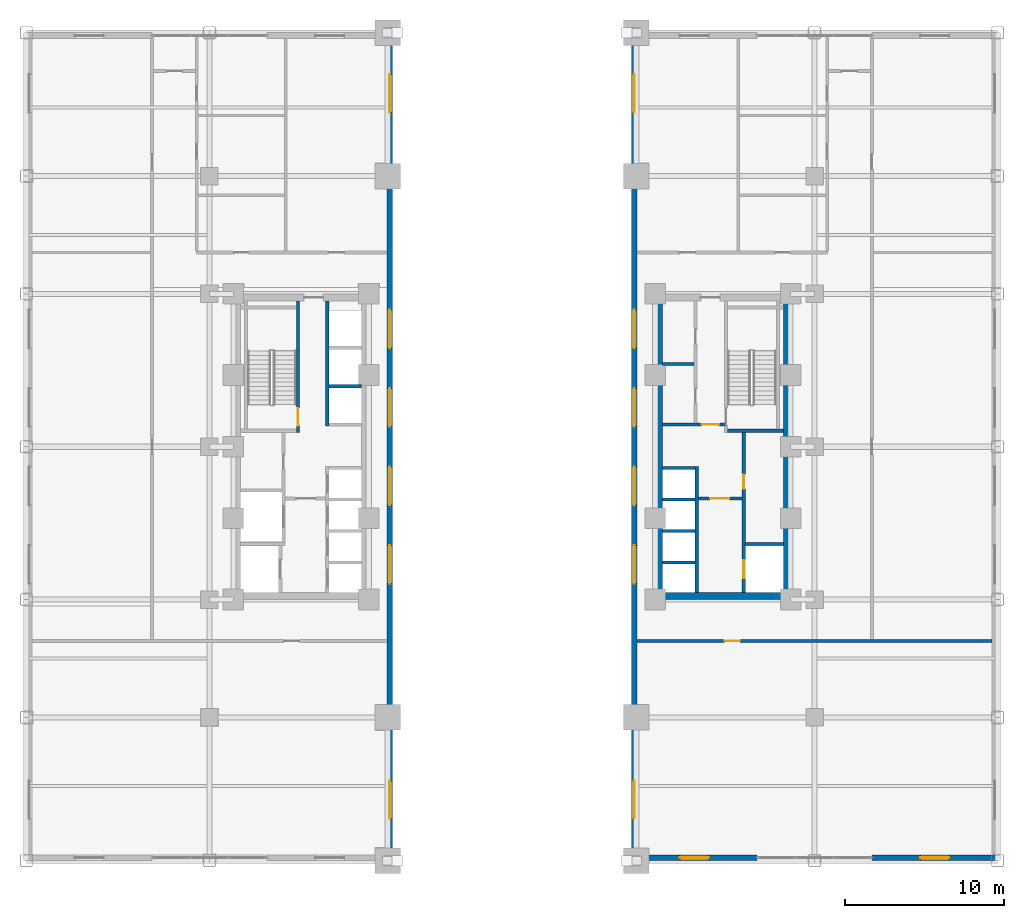
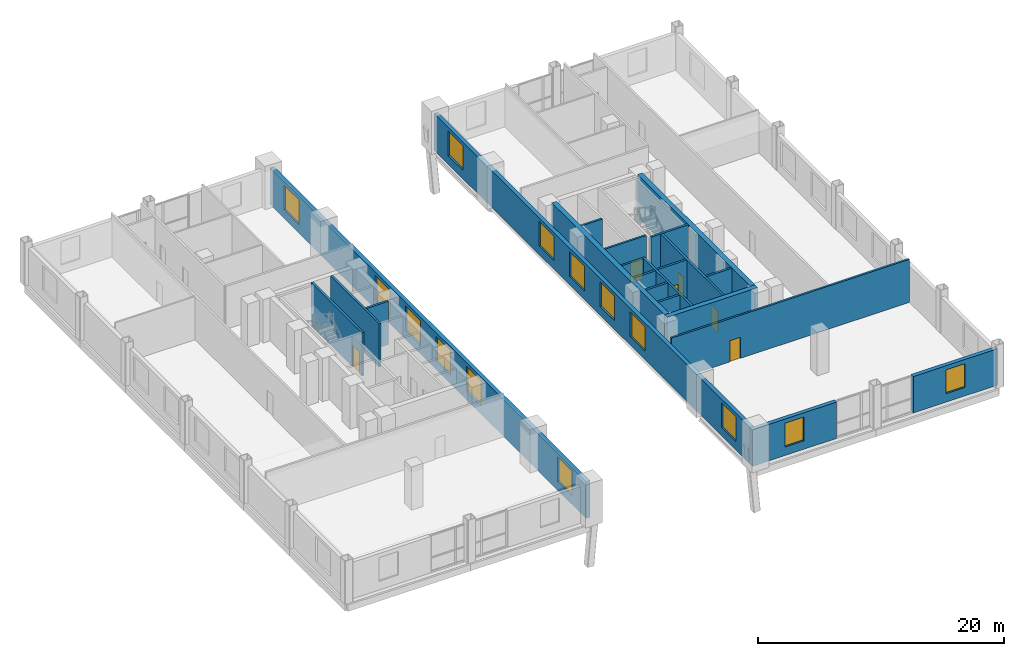
# One storey, part 4 of 15: 22 walls, 14 windows, 6 doors, 20 openings.
"""IFC4 building model written with IfcOpenShell, lengths in metres."""

from ifc_helpers import new_model, si_unit, direction, frame, frame_2d, origin, place, context, subcontext, project, spatial, rectangle, extrude, source, transform, mapped, material, layer, layer_set, type_object, type_shapes, element, fill, save


model = new_model("IFC4")

# Units and contexts
model_context = context("Model", 3, precision=1e-05, world=origin(), true_north=direction((0.0, 1.0)))
body_context = subcontext(model_context, "Body", "Model", "MODEL_VIEW")
ifc_project = project(units=[si_unit("LENGTHUNIT", "METRE"), si_unit("AREAUNIT", "SQUARE_METRE"), si_unit("VOLUMEUNIT", "CUBIC_METRE"), si_unit("PLANEANGLEUNIT", "RADIAN"), si_unit("MASSUNIT", "GRAM", prefix="KILO")], contexts=[model_context])

# Site, building, storey
site_placement = place(None, origin())
site = spatial("IfcSite", under=ifc_project, at=site_placement, CompositionType="ELEMENT")
building_placement = place(site_placement, origin())
building = spatial("IfcBuilding", under=site, at=building_placement, Name="Nuvemarco Arch Tower", CompositionType="ELEMENT")
storey_placement = place(building_placement, frame((0.0, 0.0, 4.60009765625)))
storey = spatial("IfcBuildingStorey", under=building, at=storey_placement, Name="L01", CompositionType="ELEMENT", Elevation=4.60009765625)

# Wall, openings, windows
ifc_material_1 = material(Name="Precast concrete C45/55", Category="concrete")
ifc_layer_1 = layer(ifc_material_1, 0.360107421875, Name="EW-POD-360")
ifc_layer_set_1 = layer_set([ifc_layer_1], Name="Precast concrete C45/55")
wall_type_1 = type_object("IfcWallType", Name="EW-POD-360", PredefinedType="STANDARD", material=ifc_layer_set_1)
wall_1_placement = place(storey_placement, frame((-7.679931640625, -25.64404296875, 0.0), z_axis=(0.0, 0.0, 1.0), x_axis=(0.0, 1.0, 0.0)))
wall_1 = element("IfcWall", 1, at=wall_1_placement, inside=storey, type_object=wall_type_1, Name="L01 exterior precast facade wall 2", PredefinedType="STANDARD", context=body_context, shape_type="SweptSolid", body=[
    extrude(rectangle(XDim=51.2880859375, YDim=0.360107421875, at=frame_2d((25.64404296875, 0.0))), origin(), (0.0, 0.0, 1.0), 3.64892578125),
])
opening_1_placement = place(wall_1_placement, frame((2.264404296875, 0.0, 0.85009765625)))
opening_1 = element("IfcOpeningElement", 2, at=opening_1_placement, cuts=wall_1, Name="Opening WN-1", PredefinedType="OPENING", context=body_context, shape_type="SweptSolid", body=[
    extrude(rectangle(XDim=2.39990234375, YDim=2.449951171875, at=frame_2d((1.199951171875, 1.22509765625))), frame((0.0, 0.18994140625, 0.0), z_axis=(0.0, -1.0, 0.0), x_axis=(1.0, 0.0, 0.0)), (0.0, 0.0, 1.0), 0.380126953125),
])
opening_2_placement = place(wall_1_placement, frame((17.05078125, 0.0, 0.85009765625)))
opening_2 = element("IfcOpeningElement", 3, at=opening_2_placement, cuts=wall_1, Name="Opening WN-1", PredefinedType="OPENING", context=body_context, shape_type="SweptSolid", body=[
    extrude(rectangle(XDim=2.39990234375, YDim=2.449951171875, at=frame_2d((1.199951171875, 1.22509765625))), frame((0.0, 0.18994140625, 0.0), z_axis=(0.0, -1.0, 0.0), x_axis=(1.0, 0.0, 0.0)), (0.0, 0.0, 1.0), 0.380126953125),
])
opening_3_placement = place(wall_1_placement, frame((21.9794921875, 0.0, 0.85009765625)))
opening_3 = element("IfcOpeningElement", 4, at=opening_3_placement, cuts=wall_1, Name="Opening WN-1", PredefinedType="OPENING", context=body_context, shape_type="SweptSolid", body=[
    extrude(rectangle(XDim=2.39990234375, YDim=2.449951171875, at=frame_2d((1.199951171875, 1.22509765625))), frame((0.0, 0.18994140625, 0.0), z_axis=(0.0, -1.0, 0.0), x_axis=(1.0, 0.0, 0.0)), (0.0, 0.0, 1.0), 0.380126953125),
])
opening_4_placement = place(wall_1_placement, frame((26.908447265625, 0.0, 0.85009765625)))
opening_4 = element("IfcOpeningElement", 5, at=opening_4_placement, cuts=wall_1, Name="Opening WN-1", PredefinedType="OPENING", context=body_context, shape_type="SweptSolid", body=[
    extrude(rectangle(XDim=2.39990234375, YDim=2.449951171875, at=frame_2d((1.199951171875, 1.22509765625))), frame((0.0, 0.18994140625, 0.0), z_axis=(0.0, -1.0, 0.0), x_axis=(1.0, 0.0, 0.0)), (0.0, 0.0, 1.0), 0.380126953125),
])
opening_5_placement = place(wall_1_placement, frame((31.837158203125, 0.0, 0.85009765625)))
opening_5 = element("IfcOpeningElement", 6, at=opening_5_placement, cuts=wall_1, Name="Opening WN-1", PredefinedType="OPENING", context=body_context, shape_type="SweptSolid", body=[
    extrude(rectangle(XDim=2.39990234375, YDim=2.449951171875, at=frame_2d((1.199951171875, 1.22509765625))), frame((0.0, 0.18994140625, 0.0), z_axis=(0.0, -1.0, 0.0), x_axis=(1.0, 0.0, 0.0)), (0.0, 0.0, 1.0), 0.380126953125),
])
opening_6_placement = place(wall_1_placement, frame((46.62353515625, 0.0, 0.85009765625)))
opening_6 = element("IfcOpeningElement", 7, at=opening_6_placement, cuts=wall_1, Name="Opening WN-1", PredefinedType="OPENING", context=body_context, shape_type="SweptSolid", body=[
    extrude(rectangle(XDim=2.39990234375, YDim=2.449951171875, at=frame_2d((1.199951171875, 1.22509765625))), frame((0.0, 0.18994140625, 0.0), z_axis=(0.0, -1.0, 0.0), x_axis=(1.0, 0.0, 0.0)), (0.0, 0.0, 1.0), 0.380126953125),
])
ifc_material_2 = material(Name="Insulated solar-control glass", Category="glass")
window_type_1 = type_object("IfcWindowType", Name="WN-POD-2400x2450", PartitioningType="DOUBLE_PANEL_VERTICAL", PredefinedType="WINDOW", material=ifc_material_2)
shared_shape_1 = source(origin(), body_context, "Body", "SweptSolid", [
    extrude(rectangle(XDim=2.39990234375, YDim=2.449951171875, at=frame_2d((1.199951171875, 1.22509765625))), frame((0.0, 0.030029296875, 0.0), z_axis=(0.0, -1.0, 0.0), x_axis=(1.0, 0.0, 0.0)), (0.0, 0.0, 1.0), 0.06005859375),
])
type_shapes(window_type_1, [shared_shape_1])
window_1_placement = place(opening_1_placement, origin())
window_1 = element("IfcWindow", 8, at=window_1_placement, inside=storey, type_object=window_type_1, Name="L01 punched facade window 1", OverallHeight=2.449951171875, OverallWidth=2.39990234375, PartitioningType="SINGLE_PANEL", PredefinedType="WINDOW", context=body_context, shape_type="MappedRepresentation", body=[
    mapped(shared_shape_1, transform((0.0, 0.0, 0.0), scale=1.0)),
])
fill(opening_1, window_1)
window_2_placement = place(opening_2_placement, origin())
window_2 = element("IfcWindow", 9, at=window_2_placement, inside=storey, type_object=window_type_1, Name="L01 punched facade window 4", OverallHeight=2.449951171875, OverallWidth=2.39990234375, PartitioningType="SINGLE_PANEL", PredefinedType="WINDOW", context=body_context, shape_type="MappedRepresentation", body=[
    mapped(shared_shape_1, transform((0.0, 0.0, 0.0), scale=1.0)),
])
fill(opening_2, window_2)
window_3_placement = place(opening_3_placement, origin())
window_3 = element("IfcWindow", 10, at=window_3_placement, inside=storey, type_object=window_type_1, Name="L01 punched facade window 5", OverallHeight=2.449951171875, OverallWidth=2.39990234375, PartitioningType="SINGLE_PANEL", PredefinedType="WINDOW", context=body_context, shape_type="MappedRepresentation", body=[
    mapped(shared_shape_1, transform((0.0, 0.0, 0.0), scale=1.0)),
])
fill(opening_3, window_3)
window_4_placement = place(opening_4_placement, origin())
window_4 = element("IfcWindow", 11, at=window_4_placement, inside=storey, type_object=window_type_1, Name="L01 punched facade window 6", OverallHeight=2.449951171875, OverallWidth=2.39990234375, PartitioningType="SINGLE_PANEL", PredefinedType="WINDOW", context=body_context, shape_type="MappedRepresentation", body=[
    mapped(shared_shape_1, transform((0.0, 0.0, 0.0), scale=1.0)),
])
fill(opening_4, window_4)
window_5_placement = place(opening_5_placement, origin())
window_5 = element("IfcWindow", 12, at=window_5_placement, inside=storey, type_object=window_type_1, Name="L01 punched facade window 7", OverallHeight=2.449951171875, OverallWidth=2.39990234375, PartitioningType="SINGLE_PANEL", PredefinedType="WINDOW", context=body_context, shape_type="MappedRepresentation", body=[
    mapped(shared_shape_1, transform((0.0, 0.0, 0.0), scale=1.0)),
])
fill(opening_5, window_5)
window_6_placement = place(opening_6_placement, origin())
window_6 = element("IfcWindow", 13, at=window_6_placement, inside=storey, type_object=window_type_1, Name="L01 punched facade window 10", OverallHeight=2.449951171875, OverallWidth=2.39990234375, PartitioningType="SINGLE_PANEL", PredefinedType="WINDOW", context=body_context, shape_type="MappedRepresentation", body=[
    mapped(shared_shape_1, transform((0.0, 0.0, 0.0), scale=1.0)),
])
fill(opening_6, window_6)

# Wall, opening, window
wall_2_placement = place(storey_placement, frame((7.5, -25.820068359375, 0.0), z_axis=(0.0, 0.0, 1.0), x_axis=(1.0, 0.0, 0.0)))
wall_2 = element("IfcWall", 14, at=wall_2_placement, inside=storey, type_object=wall_type_1, Name="L01 exterior precast pier wall south left", PredefinedType="STANDARD", context=body_context, shape_type="SweptSolid", body=[
    extrude(rectangle(XDim=7.89990234375, YDim=0.360107421875, at=frame_2d((3.949951171875, 0.0))), origin(), (0.0, 0.0, 1.0), 3.614990234375),
])
opening_7_placement = place(wall_2_placement, frame((3.050048828125, 0.0, 0.85009765625)))
opening_7 = element("IfcOpeningElement", 15, at=opening_7_placement, cuts=wall_2, Name="Opening WN-2", PredefinedType="OPENING", context=body_context, shape_type="SweptSolid", body=[
    extrude(rectangle(XDim=1.800048828125, YDim=2.35009765625, at=frame_2d((0.89990234375, 1.175048828125))), frame((0.0, 0.18994140625, 0.0), z_axis=(0.0, -1.0, 0.0), x_axis=(1.0, 0.0, 0.0)), (0.0, 0.0, 1.0), 0.380126953125),
])
window_type_2 = type_object("IfcWindowType", Name="WN-POD-1800x2350", PartitioningType="DOUBLE_PANEL_VERTICAL", PredefinedType="WINDOW", material=ifc_material_2)
shared_shape_2 = source(origin(), body_context, "Body", "SweptSolid", [
    extrude(rectangle(XDim=1.800048828125, YDim=2.35009765625, at=frame_2d((0.89990234375, 1.175048828125))), frame((0.0, 0.030029296875, 0.0), z_axis=(0.0, -1.0, 0.0), x_axis=(1.0, 0.0, 0.0)), (0.0, 0.0, 1.0), 0.06005859375),
])
type_shapes(window_type_2, [shared_shape_2])
window_7_placement = place(opening_7_placement, origin())
window_7 = element("IfcWindow", 16, at=window_7_placement, inside=storey, type_object=window_type_2, Name="L01 punched facade window 1", OverallHeight=2.35009765625, OverallWidth=1.800048828125, PartitioningType="SINGLE_PANEL", PredefinedType="WINDOW", context=body_context, shape_type="MappedRepresentation", body=[
    mapped(shared_shape_2, transform((0.0, 0.0, 0.0), scale=1.0)),
])
fill(opening_7, window_7)

wall_3_placement = place(storey_placement, frame((22.60009765625, -25.820068359375, 0.0), z_axis=(0.0, 0.0, 1.0), x_axis=(1.0, 0.0, 0.0)))
wall_3 = element("IfcWall", 17, at=wall_3_placement, inside=storey, type_object=wall_type_1, Name="L01 exterior precast pier wall south right", PredefinedType="STANDARD", context=body_context, shape_type="SweptSolid", body=[
    extrude(rectangle(XDim=7.89990234375, YDim=0.360107421875, at=frame_2d((3.949951171875, 0.0))), origin(), (0.0, 0.0, 1.0), 3.614990234375),
])
opening_8_placement = place(wall_3_placement, frame((3.050048828125, 0.0, 0.85009765625)))
opening_8 = element("IfcOpeningElement", 18, at=opening_8_placement, cuts=wall_3, Name="Opening WN-2", PredefinedType="OPENING", context=body_context, shape_type="SweptSolid", body=[
    extrude(rectangle(XDim=1.800048828125, YDim=2.35009765625, at=frame_2d((0.89990234375, 1.175048828125))), frame((0.0, 0.18994140625, 0.0), z_axis=(0.0, -1.0, 0.0), x_axis=(1.0, 0.0, 0.0)), (0.0, 0.0, 1.0), 0.380126953125),
])
window_8_placement = place(opening_8_placement, origin())
window_8 = element("IfcWindow", 19, at=window_8_placement, inside=storey, type_object=window_type_2, Name="L01 punched facade window 1", OverallHeight=2.35009765625, OverallWidth=1.800048828125, PartitioningType="SINGLE_PANEL", PredefinedType="WINDOW", context=body_context, shape_type="MappedRepresentation", body=[
    mapped(shared_shape_2, transform((0.0, 0.0, 0.0), scale=1.0)),
])
fill(opening_8, window_8)

# Wall, openings, windows
wall_4_placement = place(storey_placement, frame((7.679931640625, -25.64404296875, 0.0), z_axis=(0.0, 0.0, 1.0), x_axis=(0.0, 1.0, 0.0)))
wall_4 = element("IfcWall", 20, at=wall_4_placement, inside=storey, type_object=wall_type_1, Name="L01 exterior precast facade wall 4", PredefinedType="STANDARD", context=body_context, shape_type="SweptSolid", body=[
    extrude(rectangle(XDim=51.2880859375, YDim=0.360107421875, at=frame_2d((25.64404296875, 0.0))), origin(), (0.0, 0.0, 1.0), 3.64892578125),
])
opening_9_placement = place(wall_4_placement, frame((2.264404296875, 0.0, 0.85009765625)))
opening_9 = element("IfcOpeningElement", 21, at=opening_9_placement, cuts=wall_4, Name="Opening WN-1", PredefinedType="OPENING", context=body_context, shape_type="SweptSolid", body=[
    extrude(rectangle(XDim=2.39990234375, YDim=2.449951171875, at=frame_2d((1.199951171875, 1.22509765625))), frame((0.0, 0.18994140625, 0.0), z_axis=(0.0, -1.0, 0.0), x_axis=(1.0, 0.0, 0.0)), (0.0, 0.0, 1.0), 0.380126953125),
])
opening_10_placement = place(wall_4_placement, frame((17.05078125, 0.0, 0.85009765625)))
opening_10 = element("IfcOpeningElement", 22, at=opening_10_placement, cuts=wall_4, Name="Opening WN-1", PredefinedType="OPENING", context=body_context, shape_type="SweptSolid", body=[
    extrude(rectangle(XDim=2.39990234375, YDim=2.449951171875, at=frame_2d((1.199951171875, 1.22509765625))), frame((0.0, 0.18994140625, 0.0), z_axis=(0.0, -1.0, 0.0), x_axis=(1.0, 0.0, 0.0)), (0.0, 0.0, 1.0), 0.380126953125),
])
opening_11_placement = place(wall_4_placement, frame((21.9794921875, 0.0, 0.85009765625)))
opening_11 = element("IfcOpeningElement", 23, at=opening_11_placement, cuts=wall_4, Name="Opening WN-1", PredefinedType="OPENING", context=body_context, shape_type="SweptSolid", body=[
    extrude(rectangle(XDim=2.39990234375, YDim=2.449951171875, at=frame_2d((1.199951171875, 1.22509765625))), frame((0.0, 0.18994140625, 0.0), z_axis=(0.0, -1.0, 0.0), x_axis=(1.0, 0.0, 0.0)), (0.0, 0.0, 1.0), 0.380126953125),
])
opening_12_placement = place(wall_4_placement, frame((26.908447265625, 0.0, 0.85009765625)))
opening_12 = element("IfcOpeningElement", 24, at=opening_12_placement, cuts=wall_4, Name="Opening WN-1", PredefinedType="OPENING", context=body_context, shape_type="SweptSolid", body=[
    extrude(rectangle(XDim=2.39990234375, YDim=2.449951171875, at=frame_2d((1.199951171875, 1.22509765625))), frame((0.0, 0.18994140625, 0.0), z_axis=(0.0, -1.0, 0.0), x_axis=(1.0, 0.0, 0.0)), (0.0, 0.0, 1.0), 0.380126953125),
])
opening_13_placement = place(wall_4_placement, frame((31.837158203125, 0.0, 0.85009765625)))
opening_13 = element("IfcOpeningElement", 25, at=opening_13_placement, cuts=wall_4, Name="Opening WN-1", PredefinedType="OPENING", context=body_context, shape_type="SweptSolid", body=[
    extrude(rectangle(XDim=2.39990234375, YDim=2.449951171875, at=frame_2d((1.199951171875, 1.22509765625))), frame((0.0, 0.18994140625, 0.0), z_axis=(0.0, -1.0, 0.0), x_axis=(1.0, 0.0, 0.0)), (0.0, 0.0, 1.0), 0.380126953125),
])
opening_14_placement = place(wall_4_placement, frame((46.62353515625, 0.0, 0.85009765625)))
opening_14 = element("IfcOpeningElement", 26, at=opening_14_placement, cuts=wall_4, Name="Opening WN-1", PredefinedType="OPENING", context=body_context, shape_type="SweptSolid", body=[
    extrude(rectangle(XDim=2.39990234375, YDim=2.449951171875, at=frame_2d((1.199951171875, 1.22509765625))), frame((0.0, 0.18994140625, 0.0), z_axis=(0.0, -1.0, 0.0), x_axis=(1.0, 0.0, 0.0)), (0.0, 0.0, 1.0), 0.380126953125),
])
window_9_placement = place(opening_9_placement, origin())
window_9 = element("IfcWindow", 27, at=window_9_placement, inside=storey, type_object=window_type_1, Name="L01 punched facade window 1", OverallHeight=2.449951171875, OverallWidth=2.39990234375, PartitioningType="SINGLE_PANEL", PredefinedType="WINDOW", context=body_context, shape_type="MappedRepresentation", body=[
    mapped(shared_shape_1, transform((0.0, 0.0, 0.0), scale=1.0)),
])
fill(opening_9, window_9)
window_10_placement = place(opening_10_placement, origin())
window_10 = element("IfcWindow", 28, at=window_10_placement, inside=storey, type_object=window_type_1, Name="L01 punched facade window 4", OverallHeight=2.449951171875, OverallWidth=2.39990234375, PartitioningType="SINGLE_PANEL", PredefinedType="WINDOW", context=body_context, shape_type="MappedRepresentation", body=[
    mapped(shared_shape_1, transform((0.0, 0.0, 0.0), scale=1.0)),
])
fill(opening_10, window_10)
window_11_placement = place(opening_11_placement, origin())
window_11 = element("IfcWindow", 29, at=window_11_placement, inside=storey, type_object=window_type_1, Name="L01 punched facade window 5", OverallHeight=2.449951171875, OverallWidth=2.39990234375, PartitioningType="SINGLE_PANEL", PredefinedType="WINDOW", context=body_context, shape_type="MappedRepresentation", body=[
    mapped(shared_shape_1, transform((0.0, 0.0, 0.0), scale=1.0)),
])
fill(opening_11, window_11)
window_12_placement = place(opening_12_placement, origin())
window_12 = element("IfcWindow", 30, at=window_12_placement, inside=storey, type_object=window_type_1, Name="L01 punched facade window 6", OverallHeight=2.449951171875, OverallWidth=2.39990234375, PartitioningType="SINGLE_PANEL", PredefinedType="WINDOW", context=body_context, shape_type="MappedRepresentation", body=[
    mapped(shared_shape_1, transform((0.0, 0.0, 0.0), scale=1.0)),
])
fill(opening_12, window_12)
window_13_placement = place(opening_13_placement, origin())
window_13 = element("IfcWindow", 31, at=window_13_placement, inside=storey, type_object=window_type_1, Name="L01 punched facade window 7", OverallHeight=2.449951171875, OverallWidth=2.39990234375, PartitioningType="SINGLE_PANEL", PredefinedType="WINDOW", context=body_context, shape_type="MappedRepresentation", body=[
    mapped(shared_shape_1, transform((0.0, 0.0, 0.0), scale=1.0)),
])
fill(opening_13, window_13)
window_14_placement = place(opening_14_placement, origin())
window_14 = element("IfcWindow", 32, at=window_14_placement, inside=storey, type_object=window_type_1, Name="L01 punched facade window 10", OverallHeight=2.449951171875, OverallWidth=2.39990234375, PartitioningType="SINGLE_PANEL", PredefinedType="WINDOW", context=body_context, shape_type="MappedRepresentation", body=[
    mapped(shared_shape_1, transform((0.0, 0.0, 0.0), scale=1.0)),
])
fill(opening_14, window_14)

# Walls
ifc_material_3 = material(Name="Concrete C60/75", Category="concrete")
ifc_layer_2 = layer(ifc_material_3, 0.449951171875, Name="WL-CORE-450")
ifc_layer_set_2 = layer_set([ifc_layer_2], Name="Concrete C60/75")
wall_type_2 = type_object("IfcWallType", Name="WL-CORE-450", PredefinedType="SHEAR", material=ifc_layer_set_2)
wall_5_placement = place(storey_placement, frame((9.0, -9.375, 0.0), z_axis=(0.0, 0.0, 1.0), x_axis=(1.0, 0.0, 0.0)))
element("IfcWall", 33, at=wall_5_placement, inside=storey, type_object=wall_type_2, Name="L01 E-core shear wall S", PredefinedType="SHEAR", context=body_context, shape_type="SweptSolid", body=[
    extrude(rectangle(XDim=8.5, YDim=0.449951171875, at=frame_2d((4.25, 0.0))), origin(), (0.0, 0.0, 1.0), 4.27978515625),
])
for number, where, z_axis, x_axis, name in (
    (34, (9.22509765625, -9.155029296875, 0.0), (0.0, 0.0, 1.0), (0.0, 1.0, 0.0), "L01 E-core shear wall W"),
    (35, (17.27490234375, -9.155029296875, 0.0), (0.0, 0.0, 1.0), (0.0, 1.0, 0.0), "L01 E-core shear wall E"),
):
    element("IfcWall", number, at=place(storey_placement, frame(where, z_axis=z_axis, x_axis=x_axis)), inside=storey, type_object=wall_type_2, Name=name, PredefinedType="SHEAR", context=body_context, shape_type="SweptSolid", body=[
        extrude(rectangle(XDim=18.31005859375, YDim=0.449951171875, at=frame_2d((9.155029296875, 0.0))), origin(), (0.0, 0.0, 1.0), 4.27978515625),
    ])

# Wall, opening, door
ifc_material_4 = material(Name="Fire-rated gypsum drywall partition")
ifc_layer_3 = layer(ifc_material_4, 0.179931640625, Name="WL-CORR-180")
ifc_layer_set_3 = layer_set([ifc_layer_3], Name="Fire-rated gypsum drywall partition")
wall_type_3 = type_object("IfcWallType", Name="WL-CORR-180", PredefinedType="PARTITIONING", material=ifc_layer_set_3)
wall_6_placement = place(storey_placement, frame((9.445068359375, 1.39990234375, 0.0), z_axis=(0.0, 0.0, 1.0), x_axis=(1.0, 0.0, 0.0)))
wall_6 = element("IfcWall", 36, at=wall_6_placement, inside=storey, type_object=wall_type_3, Name="L01 interior wall IW-L01-EK-S", PredefinedType="PARTITIONING", context=body_context, shape_type="SweptSolid", body=[
    extrude(rectangle(XDim=3.89990234375, YDim=0.179931640625, at=frame_2d((1.949951171875, 0.0))), origin(), (0.0, 0.0, 1.0), 4.27001953125),
])
opening_15_placement = place(wall_6_placement, frame((2.465087890625, 0.0, 0.0)))
opening_15 = element("IfcOpeningElement", 37, at=opening_15_placement, cuts=wall_6, Name="Opening FD-1", PredefinedType="OPENING", context=body_context, shape_type="SweptSolid", body=[
    extrude(rectangle(XDim=1.10009765625, YDim=2.14990234375, at=frame_2d((0.550048828125, 1.074951171875))), frame((0.0, 0.099853515625, 0.0), z_axis=(0.0, -1.0, 0.0), x_axis=(1.0, 0.0, 0.0)), (0.0, 0.0, 1.0), 0.199951171875),
])
ifc_material_5 = material(Name="Anodised steel fire door", Category="steel")
door_type_1 = type_object("IfcDoorType", Name="DR-STAIR-FD", OperationType="NOTDEFINED", PredefinedType="DOOR", material=ifc_material_5)
shared_shape_3 = source(origin(), body_context, "Body", "SweptSolid", [
    extrude(rectangle(XDim=1.10009765625, YDim=2.14990234375, at=frame_2d((0.550048828125, 1.074951171875))), frame((0.0, 0.02490234375, 0.0), z_axis=(0.0, -1.0, 0.0), x_axis=(1.0, 0.0, 0.0)), (0.0, 0.0, 1.0), 0.050048828125),
])
type_shapes(door_type_1, [shared_shape_3])
door_1_placement = place(opening_15_placement, origin())
door_1 = element("IfcDoor", 38, at=door_1_placement, inside=storey, type_object=door_type_1, Name="L01 door FD-L01-ENPASS", OperationType="SINGLE_SWING_LEFT", OverallHeight=2.14990234375, OverallWidth=1.10009765625, PredefinedType="DOOR", context=body_context, shape_type="MappedRepresentation", body=[
    mapped(shared_shape_3, transform((0.0, 0.0, 0.0), scale=1.0)),
])
fill(opening_15, door_1)

# Wall
wall_7_placement = place(storey_placement, frame((9.445068359375, 5.199951171875, 0.0), z_axis=(0.0, 0.0, 1.0), x_axis=(1.0, 0.0, 0.0)))
element("IfcWall", 39, at=wall_7_placement, inside=storey, type_object=wall_type_3, Name="L01 interior wall IW-L01-EK2H", PredefinedType="PARTITIONING", context=body_context, shape_type="SweptSolid", body=[
    extrude(rectangle(XDim=1.98486328125, YDim=0.179931640625, at=frame_2d((0.992431640625, 0.0))), origin(), (0.0, 0.0, 1.0), 4.27001953125),
])

# Wall, opening, door
wall_8_placement = place(storey_placement, frame((7.860107421875, -12.199951171875, 0.0), z_axis=(0.0, 0.0, 1.0), x_axis=(1.0, 0.0, 0.0)))
wall_8 = element("IfcWall", 40, at=wall_8_placement, inside=storey, type_object=wall_type_3, Name="L01 interior wall IW-L01-002", PredefinedType="PARTITIONING", context=body_context, shape_type="SweptSolid", body=[
    extrude(rectangle(XDim=22.27978515625, YDim=0.179931640625, at=frame_2d((11.139892578125, 0.0))), origin(), (0.0, 0.0, 1.0), 4.27001953125),
])
opening_16_placement = place(wall_8_placement, frame((5.489990234375, 0.0, 0.0)))
opening_16 = element("IfcOpeningElement", 41, at=opening_16_placement, cuts=wall_8, Name="Opening FD-5", PredefinedType="OPENING", context=body_context, shape_type="SweptSolid", body=[
    extrude(rectangle(XDim=0.9599609375, YDim=2.10009765625, at=frame_2d((0.47998046875, 1.050048828125))), frame((0.0, 0.099853515625, 0.0), z_axis=(0.0, -1.0, 0.0), x_axis=(1.0, 0.0, 0.0)), (0.0, 0.0, 1.0), 0.199951171875),
])
ifc_material_6 = material(Name="Timber fire door", Category="wood")
door_type_2 = type_object("IfcDoorType", Name="DR-CORR-FD", OperationType="NOTDEFINED", PredefinedType="DOOR", material=ifc_material_6)
shared_shape_4 = source(origin(), body_context, "Body", "SweptSolid", [
    extrude(rectangle(XDim=0.9599609375, YDim=2.10009765625, at=frame_2d((0.47998046875, 1.050048828125))), frame((0.0, 0.02490234375, 0.0), z_axis=(0.0, -1.0, 0.0), x_axis=(1.0, 0.0, 0.0)), (0.0, 0.0, 1.0), 0.050048828125),
])
type_shapes(door_type_2, [shared_shape_4])
door_2_placement = place(opening_16_placement, origin())
door_2 = element("IfcDoor", 42, at=door_2_placement, inside=storey, type_object=door_type_2, Name="L01 door DR-L01-POD_ECAFE", OperationType="SINGLE_SWING_LEFT", OverallHeight=2.10009765625, OverallWidth=0.9599609375, PredefinedType="DOOR", context=body_context, shape_type="MappedRepresentation", body=[
    mapped(shared_shape_4, transform((0.0, 0.0, 0.0), scale=1.0)),
])
fill(opening_16, door_2)

ifc_material_7 = material(Name="Concrete C50/60", Category="concrete")
ifc_layer_4 = layer(ifc_material_7, 0.199951171875, Name="WL-SHAFT-220")
ifc_layer_set_4 = layer_set([ifc_layer_4], Name="Concrete C50/60")
wall_type_4 = type_object("IfcWallType", Name="WL-SHAFT-220", PredefinedType="SHEAR", material=ifc_layer_set_4)
wall_9_placement = place(storey_placement, frame((-13.43994140625, 0.89990234375, 0.0), z_axis=(0.0, 0.0, 1.0), x_axis=(0.0, 1.0, 0.0)))
wall_9 = element("IfcWall", 43, at=wall_9_placement, inside=storey, type_object=wall_type_4, Name="L01 structural shaft wall SW-L01-W-ST1E", PredefinedType="SHEAR", context=body_context, shape_type="SweptSolid", body=[
    extrude(rectangle(XDim=8.255126953125, YDim=0.199951171875, at=frame_2d((4.12744140625, 0.0))), origin(), (0.0, 0.0, 1.0), 4.27978515625),
])
opening_17_placement = place(wall_9_placement, frame((1.530029296875, 0.0, 0.0), z_axis=(0.0, 0.0, 1.0), x_axis=(-1.0, 0.0, 0.0)))
opening_17 = element("IfcOpeningElement", 44, at=opening_17_placement, cuts=wall_9, Name="Opening FD-1", PredefinedType="OPENING", context=body_context, shape_type="SweptSolid", body=[
    extrude(rectangle(XDim=1.10009765625, YDim=2.14990234375, at=frame_2d((0.550048828125, 1.074951171875))), frame((0.0, 0.10986328125, 0.0), z_axis=(0.0, -1.0, 0.0), x_axis=(1.0, 0.0, 0.0)), (0.0, 0.0, 1.0), 0.219970703125),
])
door_3_placement = place(opening_17_placement, origin())
door_3 = element("IfcDoor", 45, at=door_3_placement, inside=storey, type_object=door_type_1, Name="L01 door FD-L01-ST1", OperationType="SINGLE_SWING_LEFT", OverallHeight=2.14990234375, OverallWidth=1.10009765625, PredefinedType="DOOR", context=body_context, shape_type="MappedRepresentation", body=[
    mapped(shared_shape_3, transform((0.0, 0.0, 0.0), scale=1.0)),
])
fill(opening_17, door_3)

# Walls
wall_10_placement = place(storey_placement, frame((-11.60009765625, 1.300048828125, 0.0), z_axis=(0.0, 0.0, 1.0), x_axis=(0.0, 1.0, 0.0)))
element("IfcWall", 46, at=wall_10_placement, inside=storey, type_object=wall_type_4, Name="L01 structural shaft wall SW-L01-W-PHW", PredefinedType="SHEAR", context=body_context, shape_type="SweptSolid", body=[
    extrude(rectangle(XDim=7.85498046875, YDim=0.199951171875, at=frame_2d((3.927490234375, 0.0))), origin(), (0.0, 0.0, 1.0), 4.27978515625),
])
wall_11_placement = place(storey_placement, frame((-11.5048828125, 3.800048828125, 0.0), z_axis=(0.0, 0.0, 1.0), x_axis=(1.0, 0.0, 0.0)))
element("IfcWall", 47, at=wall_11_placement, inside=storey, type_object=wall_type_4, Name="L01 structural shaft wall SW-L01-W-PHD2", PredefinedType="SHEAR", context=body_context, shape_type="SweptSolid", body=[
    extrude(rectangle(XDim=2.059814453125, YDim=0.199951171875, at=frame_2d((1.02978515625, 0.0))), origin(), (0.0, 0.0, 1.0), 4.27978515625),
])
wall_12_placement = place(storey_placement, frame((13.534912109375, 1.0, 0.0), z_axis=(0.0, 0.0, 1.0), x_axis=(1.0, 0.0, 0.0)))
element("IfcWall", 48, at=wall_12_placement, inside=storey, type_object=wall_type_4, Name="L01 structural shaft wall SW-L01-E-ST2S", PredefinedType="SHEAR", context=body_context, shape_type="SweptSolid", body=[
    extrude(rectangle(XDim=3.52001953125, YDim=0.199951171875, at=frame_2d((1.760009765625, 0.0))), origin(), (0.0, 0.0, 1.0), 4.27978515625),
])

# Wall, openings, doors
wall_13_placement = place(storey_placement, frame((14.550048828125, -9.155029296875, 0.0), z_axis=(0.0, 0.0, 1.0), x_axis=(0.0, 1.0, 0.0)))
wall_13 = element("IfcWall", 49, at=wall_13_placement, inside=storey, type_object=wall_type_4, Name="L01 structural shaft wall SW-L01-E-SHW", PredefinedType="SHEAR", context=body_context, shape_type="SweptSolid", body=[
    extrude(rectangle(XDim=10.06005859375, YDim=0.199951171875, at=frame_2d((5.030029296875, 0.0))), origin(), (0.0, 0.0, 1.0), 4.27978515625),
])
opening_18_placement = place(wall_13_placement, frame((6.514892578125, 0.0, 0.0)))
opening_18 = element("IfcOpeningElement", 50, at=opening_18_placement, cuts=wall_13, Name="Opening FD-4", PredefinedType="OPENING", context=body_context, shape_type="SweptSolid", body=[
    extrude(rectangle(XDim=0.8798828125, YDim=2.10009765625, at=frame_2d((0.43994140625, 1.050048828125))), frame((0.0, 0.10986328125, 0.0), z_axis=(0.0, -1.0, 0.0), x_axis=(1.0, 0.0, 0.0)), (0.0, 0.0, 1.0), 0.219970703125),
])
opening_19_placement = place(wall_13_placement, frame((0.8798828125, 0.0, 0.0)))
opening_19 = element("IfcOpeningElement", 51, at=opening_19_placement, cuts=wall_13, Name="Opening LD-2", PredefinedType="OPENING", context=body_context, shape_type="SweptSolid", body=[
    extrude(rectangle(XDim=1.14990234375, YDim=2.14990234375, at=frame_2d((0.574951171875, 1.074951171875))), frame((0.0, 0.10986328125, 0.0), z_axis=(0.0, -1.0, 0.0), x_axis=(1.0, 0.0, 0.0)), (0.0, 0.0, 1.0), 0.219970703125),
])
door_type_3 = type_object("IfcDoorType", Name="DR-RISER-FD", OperationType="NOTDEFINED", PredefinedType="DOOR", material=ifc_material_5)
shared_shape_5 = source(origin(), body_context, "Body", "SweptSolid", [
    extrude(rectangle(XDim=0.8798828125, YDim=2.10009765625, at=frame_2d((0.43994140625, 1.050048828125))), frame((0.0, 0.02490234375, 0.0), z_axis=(0.0, -1.0, 0.0), x_axis=(1.0, 0.0, 0.0)), (0.0, 0.0, 1.0), 0.050048828125),
])
type_shapes(door_type_3, [shared_shape_5])
door_4_placement = place(opening_18_placement, origin())
door_4 = element("IfcDoor", 52, at=door_4_placement, inside=storey, type_object=door_type_3, Name="L01 door FD-L01-ERIS", OperationType="SINGLE_SWING_RIGHT", OverallHeight=2.10009765625, OverallWidth=0.8798828125, PredefinedType="DOOR", context=body_context, shape_type="MappedRepresentation", body=[
    mapped(shared_shape_5, transform((0.0, 0.0, 0.0), scale=1.0)),
])
fill(opening_18, door_4)
ifc_material_8 = material(Name="Stainless steel lift door", Category="steel")
door_type_4 = type_object("IfcDoorType", Name="DR-LIFT-FIRE", OperationType="DOUBLE_DOOR_SLIDING", PredefinedType="DOOR", material=ifc_material_8)
shared_shape_6 = source(origin(), body_context, "Body", "SweptSolid", [
    extrude(rectangle(XDim=1.14990234375, YDim=2.14990234375, at=frame_2d((0.574951171875, 1.074951171875))), frame((0.0, 0.02490234375, 0.0), z_axis=(0.0, -1.0, 0.0), x_axis=(1.0, 0.0, 0.0)), (0.0, 0.0, 1.0), 0.050048828125),
])
type_shapes(door_type_4, [shared_shape_6])
door_5_placement = place(opening_19_placement, origin())
door_5 = element("IfcDoor", 53, at=door_5_placement, inside=storey, type_object=door_type_4, Name="L01 Lift landing sliding door FFL-2", OperationType="DOUBLE_DOOR_SLIDING", OverallHeight=2.14990234375, OverallWidth=1.14990234375, PredefinedType="DOOR", context=body_context, shape_type="MappedRepresentation", body=[
    mapped(shared_shape_6, transform((0.0, 0.0, 0.0), scale=1.0)),
])
fill(opening_19, door_5)

# Walls
wall_14_placement = place(storey_placement, frame((14.64501953125, -6.10009765625, 0.0), z_axis=(0.0, 0.0, 1.0), x_axis=(1.0, 0.0, 0.0)))
element("IfcWall", 54, at=wall_14_placement, inside=storey, type_object=wall_type_4, Name="L01 structural shaft wall SW-L01-E-SH1", PredefinedType="SHEAR", context=body_context, shape_type="SweptSolid", body=[
    extrude(rectangle(XDim=2.409912109375, YDim=0.199951171875, at=frame_2d((1.205078125, 0.0))), origin(), (0.0, 0.0, 1.0), 4.27978515625),
])
wall_15_placement = place(storey_placement, frame((11.60009765625, -9.155029296875, 0.0), z_axis=(0.0, 0.0, 1.0), x_axis=(0.0, 1.0, 0.0)))
element("IfcWall", 55, at=wall_15_placement, inside=storey, type_object=wall_type_4, Name="L01 structural shaft wall SW-L01-E-PME", PredefinedType="SHEAR", context=body_context, shape_type="SweptSolid", body=[
    extrude(rectangle(XDim=7.925048828125, YDim=0.199951171875, at=frame_2d((3.96240234375, 0.0))), origin(), (0.0, 0.0, 1.0), 4.27978515625),
])

# Wall, opening, door
wall_16_placement = place(storey_placement, frame((11.695068359375, -3.25, 0.0), z_axis=(0.0, 0.0, 1.0), x_axis=(1.0, 0.0, 0.0)))
wall_16 = element("IfcWall", 56, at=wall_16_placement, inside=storey, type_object=wall_type_4, Name="L01 structural shaft wall SW-L01-E-FFN", PredefinedType="SHEAR", context=body_context, shape_type="SweptSolid", body=[
    extrude(rectangle(XDim=2.760009765625, YDim=0.199951171875, at=frame_2d((1.3798828125, 0.0))), origin(), (0.0, 0.0, 1.0), 4.27978515625),
])
opening_20_placement = place(wall_16_placement, frame((0.7548828125, 0.0, 0.0)))
opening_20 = element("IfcOpeningElement", 57, at=opening_20_placement, cuts=wall_16, Name="Opening FD-2", PredefinedType="OPENING", context=body_context, shape_type="SweptSolid", body=[
    extrude(rectangle(XDim=1.199951171875, YDim=2.14990234375, at=frame_2d((0.60009765625, 1.074951171875))), frame((0.0, 0.10986328125, 0.0), z_axis=(0.0, -1.0, 0.0), x_axis=(1.0, 0.0, 0.0)), (0.0, 0.0, 1.0), 0.219970703125),
])
door_type_5 = type_object("IfcDoorType", Name="DR-FFLOB-FD", OperationType="NOTDEFINED", PredefinedType="DOOR", material=ifc_material_5)
shared_shape_7 = source(origin(), body_context, "Body", "SweptSolid", [
    extrude(rectangle(XDim=1.199951171875, YDim=2.14990234375, at=frame_2d((0.60009765625, 1.074951171875))), frame((0.0, 0.02490234375, 0.0), z_axis=(0.0, -1.0, 0.0), x_axis=(1.0, 0.0, 0.0)), (0.0, 0.0, 1.0), 0.050048828125),
])
type_shapes(door_type_5, [shared_shape_7])
door_6_placement = place(opening_20_placement, origin())
door_6 = element("IfcDoor", 58, at=door_6_placement, inside=storey, type_object=door_type_5, Name="L01 door FD-L01-EFF2", OperationType="SINGLE_SWING_RIGHT", OverallHeight=2.14990234375, OverallWidth=1.199951171875, PredefinedType="DOOR", context=body_context, shape_type="MappedRepresentation", body=[
    mapped(shared_shape_7, transform((0.0, 0.0, 0.0), scale=1.0)),
])
fill(opening_20, door_6)

# Walls
for number, where, z_axis, x_axis, name in (
    (59, (9.445068359375, -7.27001953125, 0.0), (0.0, 0.0, 1.0), (1.0, 0.0, 0.0), "L01 structural shaft wall SW-L01-E-PMD1"),
    (60, (9.445068359375, -5.2900390625, 0.0), (0.0, 0.0, 1.0), (1.0, 0.0, 0.0), "L01 structural shaft wall SW-L01-E-PMD2"),
    (61, (9.445068359375, -3.31005859375, 0.0), (0.0, 0.0, 1.0), (1.0, 0.0, 0.0), "L01 structural shaft wall SW-L01-E-PMD3"),
    (62, (9.445068359375, -1.330078125, 0.0), (0.0, 0.0, 1.0), (1.0, 0.0, 0.0), "L01 structural shaft wall SW-L01-E-PMD4"),
):
    element("IfcWall", number, at=place(storey_placement, frame(where, z_axis=z_axis, x_axis=x_axis)), inside=storey, type_object=wall_type_4, Name=name, PredefinedType="SHEAR", context=body_context, shape_type="SweptSolid", body=[
        extrude(rectangle(XDim=2.059814453125, YDim=0.199951171875, at=frame_2d((1.02978515625, 0.0))), origin(), (0.0, 0.0, 1.0), 4.27978515625),
    ])

save(model, "model.ifc")
